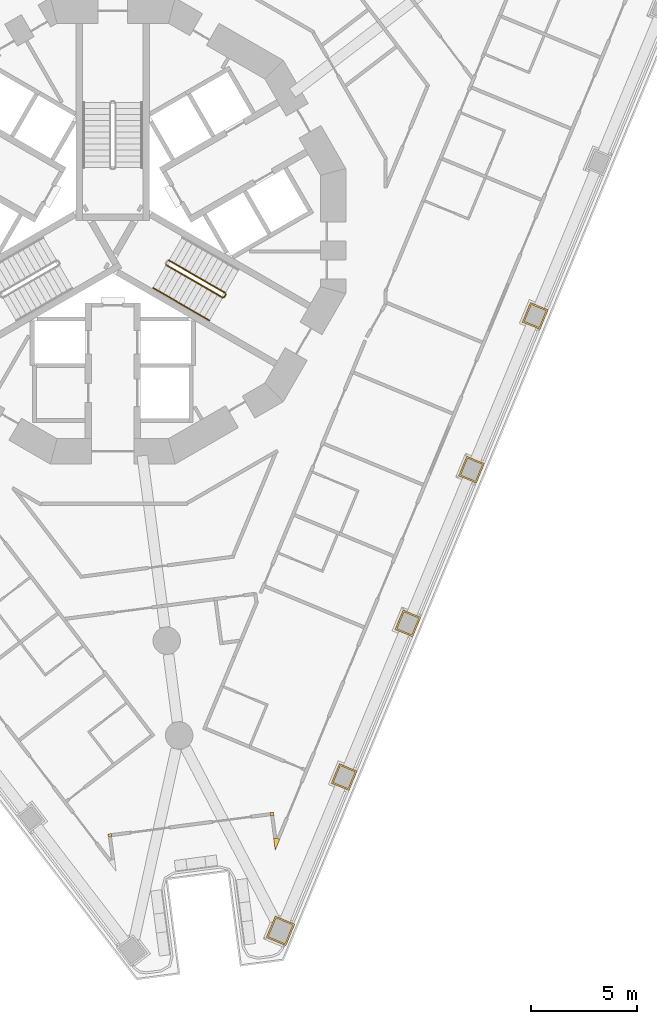
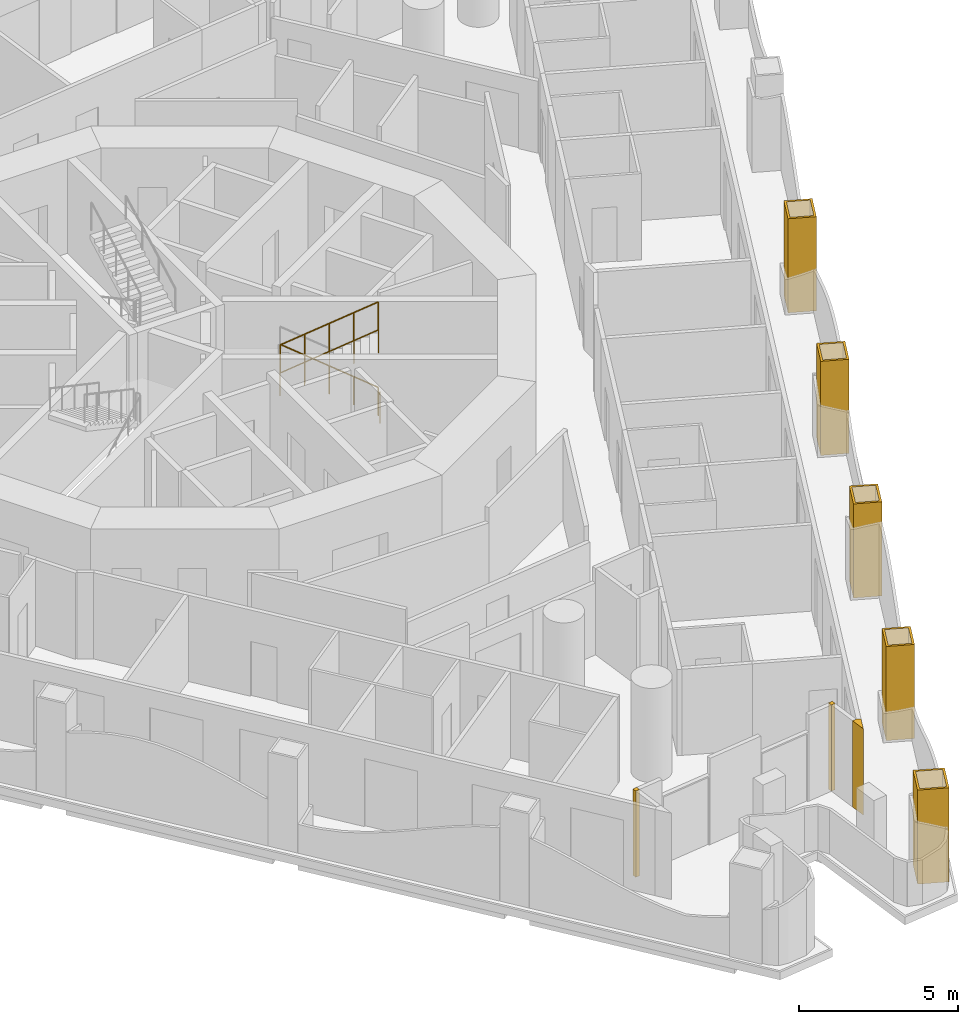
# One storey, part 14 of 19: 8 coverings, 5 railings.
"""IFC4 building model written with IfcOpenShell, lengths in metres."""

from ifc_helpers import new_model, si_unit, direction, frame, origin, origin_2d, place, context, subcontext, project, spatial, polyline, circle, outline, extrude, material, layer, layer_set, type_object, element, save


model = new_model("IFC4")

# Units and contexts
model_context = context("Model", 3, precision=1e-05, world=origin(), true_north=direction((0.0, 1.0)))
body_context = subcontext(model_context, "Body", "Model", "MODEL_VIEW")
ifc_project = project(units=[si_unit("LENGTHUNIT", "METRE"), si_unit("AREAUNIT", "SQUARE_METRE"), si_unit("VOLUMEUNIT", "CUBIC_METRE"), si_unit("PLANEANGLEUNIT", "RADIAN"), si_unit("MASSUNIT", "GRAM", prefix="KILO")], contexts=[model_context])

# Site, building, storey
site_placement = place(None, origin())
site = spatial("IfcSite", under=ifc_project, at=site_placement, CompositionType="ELEMENT")
building_placement = place(site_placement, origin())
building = spatial("IfcBuilding", under=site, at=building_placement, Name="Trine Commons Tower", CompositionType="ELEMENT")
storey_placement = place(building_placement, frame((0.0, 0.0, 68.39990234375)))
storey = spatial("IfcBuildingStorey", under=building, at=storey_placement, Name="L16", CompositionType="ELEMENT", Elevation=68.39990234375)

# Coverings
ifc_material_1 = material(Name="Aluminium-framed insulated wall panel", Category="aluminium")
ifc_layer_1 = layer(ifc_material_1, 0.14990234375)
ifc_layer_set_1 = layer_set([ifc_layer_1], Name="Aluminium-framed insulated wall panel")
covering_type_1 = type_object("IfcCoveringType", Name="Glazing corner post, aluminium", PredefinedType="CLADDING", material=ifc_layer_set_1)
covering_1_placement = place(storey_placement, origin())
element("IfcCovering", 1, at=covering_1_placement, inside=storey, type_object=covering_type_1, Name="Glazing corner post 2-09", PredefinedType="CLADDING", context=body_context, shape_type="SweptSolid", body=[
    extrude(outline(polyline([(87.6015625, 33.79736328125), (87.674560546875, 33.242431640625), (87.888916015625, 33.759521484375), (87.750244140625, 33.81689453125), (87.6015625, 33.79736328125)])), origin(), (0.0, 0.0, 1.0), 3.300048828125),
])
covering_2_placement = place(storey_placement, origin())
element("IfcCovering", 2, at=covering_2_placement, inside=storey, type_object=covering_type_1, Name="Glazing corner post 2-10", PredefinedType="CLADDING", context=body_context, shape_type="SweptSolid", body=[
    extrude(outline(polyline([(87.440185546875, 35.0224609375), (87.459716796875, 34.873779296875), (87.6083984375, 34.893310546875), (87.5888671875, 35.0419921875), (87.440185546875, 35.0224609375)])), origin(), (0.0, 0.0, 1.0), 3.300048828125),
])
covering_3_placement = place(storey_placement, origin())
element("IfcCovering", 3, at=covering_3_placement, inside=storey, type_object=covering_type_1, Name="Glazing corner post 2-11", PredefinedType="CLADDING", context=body_context, shape_type="SweptSolid", body=[
    extrude(outline(polyline([(79.7958984375, 33.864990234375), (79.944580078125, 33.884521484375), (79.925048828125, 34.033203125), (79.7763671875, 34.013671875), (79.7958984375, 33.864990234375)])), origin(), (0.0, 0.0, 1.0), 3.300048828125),
])
ifc_material_2 = material(Name="Limestone, honed", Category="masonry")
ifc_layer_2 = layer(ifc_material_2, 0.074951171875)
ifc_layer_set_2 = layer_set([ifc_layer_2], Name="Limestone, honed")
covering_type_2 = type_object("IfcCoveringType", Name="Limestone column cladding 75", PredefinedType="CLADDING", material=ifc_layer_set_2)
covering_4_placement = place(storey_placement, origin())
element("IfcCovering", 4, at=covering_4_placement, inside=storey, type_object=covering_type_2, Name="Limestone pier cladding 2-20", PredefinedType="CLADDING", context=body_context, shape_type="SweptSolid", body=[
    extrude(outline(polyline([(100.5673828125, 58.77587890625), (99.73583984375, 59.120361328125), (99.35302734375, 58.196533203125), (100.1845703125, 57.852294921875), (100.5673828125, 58.77587890625)]), holes=[polyline([(100.46923828125, 58.7353515625), (99.7763671875, 59.0224609375), (99.451171875, 58.2373046875), (100.14404296875, 57.9501953125), (100.46923828125, 58.7353515625)])]), origin(), (0.0, 0.0, 1.0), 3.60009765625),
])
covering_5_placement = place(storey_placement, origin())
element("IfcCovering", 5, at=covering_5_placement, inside=storey, type_object=covering_type_2, Name="Limestone pier cladding 2-21", PredefinedType="CLADDING", context=body_context, shape_type="SweptSolid", body=[
    extrude(outline(polyline([(97.55908203125, 51.513916015625), (96.727783203125, 51.858154296875), (96.344970703125, 50.934326171875), (97.176513671875, 50.590087890625), (97.55908203125, 51.513916015625)]), holes=[polyline([(97.461181640625, 51.47314453125), (96.768310546875, 51.76025390625), (96.443115234375, 50.97509765625), (97.135986328125, 50.68798828125), (97.461181640625, 51.47314453125)])]), origin(), (0.0, 0.0, 1.0), 3.60009765625),
])
covering_6_placement = place(storey_placement, origin())
element("IfcCovering", 6, at=covering_6_placement, inside=storey, type_object=covering_type_2, Name="Limestone pier cladding 2-22", PredefinedType="CLADDING", context=body_context, shape_type="SweptSolid", body=[
    extrude(outline(polyline([(94.551025390625, 44.251708984375), (93.719482421875, 44.59619140625), (93.3369140625, 43.67236328125), (94.16845703125, 43.327880859375), (94.551025390625, 44.251708984375)]), holes=[polyline([(94.453125, 44.211181640625), (93.76025390625, 44.498291015625), (93.434814453125, 43.712890625), (94.127685546875, 43.42578125), (94.453125, 44.211181640625)])]), origin(), (0.0, 0.0, 1.0), 3.60009765625),
])
covering_7_placement = place(storey_placement, origin())
element("IfcCovering", 7, at=covering_7_placement, inside=storey, type_object=covering_type_2, Name="Limestone pier cladding 2-23", PredefinedType="CLADDING", context=body_context, shape_type="SweptSolid", body=[
    extrude(outline(polyline([(91.54296875, 36.989501953125), (90.71142578125, 37.333984375), (90.328857421875, 36.41015625), (91.160400390625, 36.065673828125), (91.54296875, 36.989501953125)]), holes=[polyline([(91.445068359375, 36.948974609375), (90.752197265625, 37.236083984375), (90.4267578125, 36.45068359375), (91.11962890625, 36.16357421875), (91.445068359375, 36.948974609375)])]), origin(), (0.0, 0.0, 1.0), 3.60009765625),
])
covering_8_placement = place(storey_placement, origin())
element("IfcCovering", 8, at=covering_8_placement, inside=storey, type_object=covering_type_2, Name="Limestone pier cladding 2-24", PredefinedType="CLADDING", context=body_context, shape_type="SweptSolid", body=[
    extrude(outline(polyline([(88.60009765625, 29.75439453125), (87.67626953125, 30.13720703125), (87.25537109375, 29.120849609375), (88.17919921875, 28.738037109375), (88.60009765625, 29.75439453125)]), holes=[polyline([(88.502197265625, 29.7138671875), (87.716796875, 30.0390625), (87.353515625, 29.161376953125), (88.138671875, 28.836181640625), (88.502197265625, 29.7138671875)])]), origin(), (0.0, 0.0, 1.0), 3.60009765625),
])

# Railings
ifc_material_3 = material(Name="Stainless steel balustrade", Category="steel")
railing_type_1 = type_object("IfcRailingType", Name="Stair guard, steel balustrade 1100", PredefinedType="GUARDRAIL", material=ifc_material_3)
railing_1_placement = place(storey_placement, frame((85.31982421875, 59.572998046875, 0.150146484375)))
element("IfcRailing", 9, at=railing_1_placement, inside=storey, type_object=railing_type_1, Name="L16 ST3A stair guard 1", PredefinedType="GUARDRAIL", context=body_context, shape_type="SweptSolid", body=[
    extrude(circle(Radius=0.02392578125, at=origin_2d()), frame((0.0, 0.0, 1.076171875), z_axis=(-0.76340495495, 0.440743040072, 0.472184759798), x_axis=(-0.499992328818, -0.866029832698, 0.0)), (0.0, 0.0, 1.0), 3.494140625),
    extrude(circle(Radius=0.02099609375, at=origin_2d()), origin(), (0.0, 0.0, 1.0), 1.052001953125),
    extrude(circle(Radius=0.02099609375, at=origin_2d()), frame((-0.6669921875, 0.385009765625, 0.41259765625)), (0.0, 0.0, 1.0), 1.052001953125),
    extrude(circle(Radius=0.02099609375, at=origin_2d()), frame((-1.333740234375, 0.77001953125, 0.824951171875)), (0.0, 0.0, 1.0), 1.052001953125),
    extrude(circle(Radius=0.02099609375, at=origin_2d()), frame((-2.00048828125, 1.155029296875, 1.2373046875)), (0.0, 0.0, 1.0), 1.052001953125),
    extrude(circle(Radius=0.02099609375, at=origin_2d()), frame((-2.66748046875, 1.5400390625, 1.64990234375)), (0.0, 0.0, 1.0), 1.052001953125),
])
railing_2_placement = place(storey_placement, frame((82.52734375, 60.896484375, 1.9501953125)))
element("IfcRailing", 10, at=railing_2_placement, inside=storey, type_object=railing_type_1, Name="L16 ST3A stair guard 3", PredefinedType="GUARDRAIL", context=body_context, shape_type="SweptSolid", body=[
    extrude(circle(Radius=0.02392578125, at=origin_2d()), frame((0.0, 0.0, 1.076171875), z_axis=(0.76340495495, -0.440743040072, 0.472184759798), x_axis=(0.499992328818, 0.866029832698, 0.0)), (0.0, 0.0, 1.0), 3.494140625),
    extrude(circle(Radius=0.02099609375, at=origin_2d()), origin(), (0.0, 0.0, 1.0), 1.052001953125),
    extrude(circle(Radius=0.02099609375, at=origin_2d()), frame((0.6669921875, -0.385009765625, 0.41259765625)), (0.0, 0.0, 1.0), 1.052001953125),
    extrude(circle(Radius=0.02099609375, at=origin_2d()), frame((1.333740234375, -0.77001953125, 0.824951171875)), (0.0, 0.0, 1.0), 1.052001953125),
    extrude(circle(Radius=0.02099609375, at=origin_2d()), frame((2.00048828125, -1.155029296875, 1.2373046875)), (0.0, 0.0, 1.0), 1.052001953125),
    extrude(circle(Radius=0.02099609375, at=origin_2d()), frame((2.66748046875, -1.5400390625, 1.64990234375)), (0.0, 0.0, 1.0), 1.052001953125),
])
railing_3_placement = place(storey_placement, frame((85.338134765625, 59.504638671875, 0.0)))
element("IfcRailing", 11, at=railing_3_placement, inside=storey, type_object=railing_type_1, Name="L16 ST3A stair guard 4", PredefinedType="GUARDRAIL", context=body_context, shape_type="SweptSolid", body=[
    extrude(circle(Radius=0.02392578125, at=origin_2d()), frame((0.0, 0.0, 1.076171875), z_axis=(-0.499816412211, -0.866131372301, 0.0), x_axis=(0.866131372301, -0.499816412211, 0.0)), (0.0, 0.0, 1.0), 0.14990234375),
    extrude(circle(Radius=0.02099609375, at=origin_2d()), origin(), (0.0, 0.0, 1.0), 1.052001953125),
    extrude(circle(Radius=0.02099609375, at=origin_2d()), frame((-0.074951171875, -0.1298828125, 0.0)), (0.0, 0.0, 1.0), 1.052001953125),
])
ifc_material_4 = material(Name="Stainless steel handrail", Category="steel")
railing_type_2 = type_object("IfcRailingType", Name="Stair handrail, steel 900", PredefinedType="HANDRAIL", material=ifc_material_4)
for number, where, name in (
    (12, (81.90234375, 59.81396484375, 1.9501953125), "L16 ST3A stair handrail 3"),
    (13, (83.236083984375, 59.0439453125, 2.775146484375), "L16 ST3A stair handrail 4"),
):
    element("IfcRailing", number, at=place(storey_placement, frame(where)), inside=storey, type_object=railing_type_2, Name=name, PredefinedType="HANDRAIL", context=body_context, shape_type="SweptSolid", body=[
        extrude(circle(Radius=0.02099609375, at=origin_2d()), frame((0.0, 0.0, 0.87890625), z_axis=(0.76340495495, -0.440743040072, 0.472184759798), x_axis=(0.499992328818, 0.866029832698, 0.0)), (0.0, 0.0, 1.0), 1.7470703125),
        extrude(circle(Radius=0.01513671875, at=origin_2d()), origin(), (0.0, 0.0, 1.0), 0.85791015625),
        extrude(circle(Radius=0.01513671875, at=origin_2d()), frame((0.6669921875, -0.385009765625, 0.41259765625)), (0.0, 0.0, 1.0), 0.85791015625),
        extrude(circle(Radius=0.01513671875, at=origin_2d()), frame((1.333740234375, -0.77001953125, 0.824951171875)), (0.0, 0.0, 1.0), 0.85791015625),
    ])

save(model, "model.ifc")
